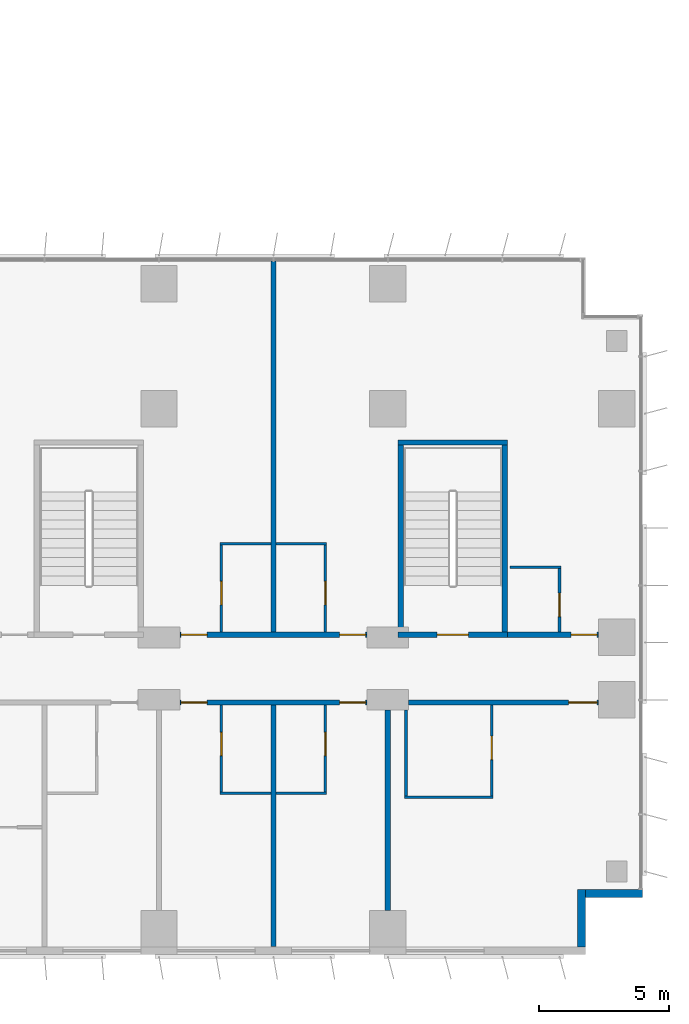
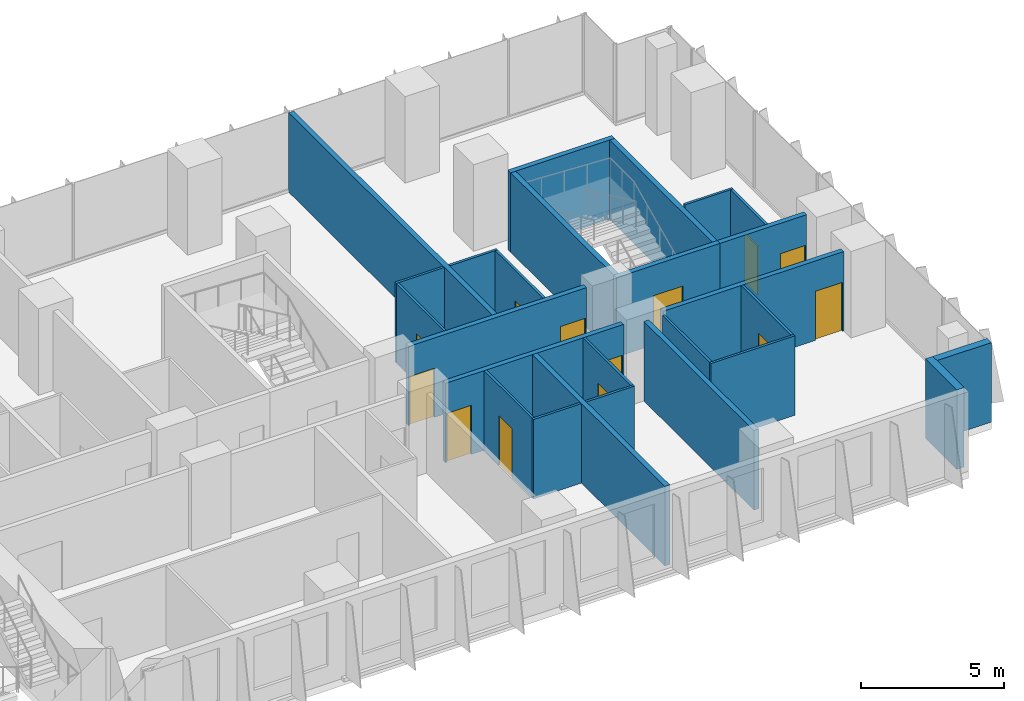
# One storey, part 18 of 24: 26 walls, 13 doors, 13 openings.
"""IFC4 building model written with IfcOpenShell, lengths in metres."""

from ifc_helpers import new_model, si_unit, direction, frame, frame_2d, origin, place, context, subcontext, project, spatial, rectangle, extrude, material, layer, layer_set, type_object, element, fill, save


model = new_model("IFC4")

# Units and contexts
model_context = context("Model", 3, precision=1e-05, world=origin(), true_north=direction((0.0, 1.0)))
body_context = subcontext(model_context, "Body", "Model", "MODEL_VIEW")
ifc_project = project(units=[si_unit("LENGTHUNIT", "METRE"), si_unit("AREAUNIT", "SQUARE_METRE"), si_unit("VOLUMEUNIT", "CUBIC_METRE"), si_unit("PLANEANGLEUNIT", "RADIAN"), si_unit("MASSUNIT", "GRAM", prefix="KILO")], contexts=[model_context])

# Site, building, storey
site_placement = place(None, origin())
site = spatial("IfcSite", under=ifc_project, at=site_placement, CompositionType="ELEMENT")
building_placement = place(site_placement, origin())
building = spatial("IfcBuilding", under=site, at=building_placement, Name="Kemantara Hotel Tower", CompositionType="ELEMENT")
storey_placement = place(building_placement, frame((0.0, 0.0, 52.5)))
storey = spatial("IfcBuildingStorey", under=building, at=storey_placement, Name="L11", CompositionType="ELEMENT", Elevation=52.5)

# Walls
ifc_material_1 = material(Name="Bronze anodised aluminium cladding on insulated steel stud wall", Category="steel")
ifc_layer_1 = layer(ifc_material_1, 0.300048828125)
ifc_layer_set_1 = layer_set([ifc_layer_1], Name="Bronze anodised aluminium cladding on insulated steel stud wall")
wall_type_1 = type_object("IfcWallType", Name="BRONZE METAL-CLAD EXTERNAL WALL 300", PredefinedType="STANDARD", material=ifc_layer_set_1)
for number, where, z_axis, x_axis, name in (
    (1, (78.85009765625, 0.300048828125, 0.0), (0.0, 0.0, 1.0), (0.0, 1.0, 0.0), "EXTERNAL WALL L11 T1-R02"),
    (2, (79.0, 2.35009765625, 0.0), (0.0, 0.0, 1.0), (1.0, 0.0, 0.0), "EXTERNAL WALL L11 T1-R03"),
):
    element("IfcWall", number, at=place(storey_placement, frame(where, z_axis=z_axis, x_axis=x_axis)), inside=storey, type_object=wall_type_1, Name=name, PredefinedType="STANDARD", context=body_context, shape_type="SweptSolid", body=[
        extrude(rectangle(XDim=2.199951171875, YDim=0.300048828125, at=frame_2d((1.10009765625, 0.0))), origin(), (0.0, 0.0, 1.0), 3.39990234375),
    ])

# Wall, openings, doors
ifc_material_2 = material(Name="Gypsum board partition, steel studs and mineral wool, 200 mm", Category="steel")
ifc_layer_2 = layer(ifc_material_2, 0.199951171875)
ifc_layer_set_2 = layer_set([ifc_layer_2], Name="Gypsum board partition, steel studs and mineral wool, 200 mm")
wall_type_2 = type_object("IfcWallType", Name="CORRIDOR WALL 200", PredefinedType="PARTITIONING", material=ifc_layer_set_2)
wall_1_placement = place(storey_placement, frame((70.599853515625, 9.699951171875, 0.0), z_axis=(0.0, 0.0, 1.0), x_axis=(-1.0, 0.0, 0.0)))
wall_1 = element("IfcWall", 3, at=wall_1_placement, inside=storey, type_object=wall_type_2, Name="CORRIDOR WALL 200 003", PredefinedType="PARTITIONING", context=body_context, shape_type="SweptSolid", body=[
    extrude(rectangle(XDim=7.19970703125, YDim=0.199951171875, at=frame_2d((3.599853515625, 0.0))), origin(), (0.0, 0.0, 1.0), 3.39990234375),
])
opening_1_placement = place(wall_1_placement, frame((6.14990234375, 0.0, 0.0)))
opening_1 = element("IfcOpeningElement", 4, at=opening_1_placement, cuts=wall_1, Name="Opening F03-006", PredefinedType="OPENING", context=body_context, shape_type="SweptSolid", body=[
    extrude(rectangle(XDim=1.0, YDim=2.10009765625, at=frame_2d((0.5, 1.050048828125))), frame((0.0, 0.10986328125, 0.0), z_axis=(0.0, -1.0, 0.0), x_axis=(1.0, 0.0, 0.0)), (0.0, 0.0, 1.0), 0.219970703125),
])
opening_2_placement = place(wall_1_placement, frame((0.0498046875, 0.0, 0.0)))
opening_2 = element("IfcOpeningElement", 5, at=opening_2_placement, cuts=wall_1, Name="Opening F03-008", PredefinedType="OPENING", context=body_context, shape_type="SweptSolid", body=[
    extrude(rectangle(XDim=1.0, YDim=2.10009765625, at=frame_2d((0.5, 1.050048828125))), frame((0.0, 0.10986328125, 0.0), z_axis=(0.0, -1.0, 0.0), x_axis=(1.0, 0.0, 0.0)), (0.0, 0.0, 1.0), 0.219970703125),
])
ifc_material_3 = material(Name="Hardwood veneer door leaf with steel frame", Category="steel")
door_type_1 = type_object("IfcDoorType", Name="GUEST ROOM DOOR 1000 X 2100 FD30S", OperationType="NOTDEFINED", PredefinedType="DOOR", material=ifc_material_3)
door_1_placement = place(opening_1_placement, origin())
door_1 = element("IfcDoor", 6, at=door_1_placement, inside=storey, type_object=door_type_1, Name="GUEST ROOM DOOR F03-006", OperationType="SINGLE_SWING_RIGHT", OverallHeight=2.10009765625, OverallWidth=1.0, PredefinedType="DOOR", context=body_context, shape_type="SweptSolid", body=[
    extrude(rectangle(XDim=1.0, YDim=2.10009765625, at=frame_2d((0.5, 1.050048828125))), frame((0.0, 0.02490234375, 0.0), z_axis=(0.0, -1.0, 0.0), x_axis=(1.0, 0.0, 0.0)), (0.0, 0.0, 1.0), 0.050048828125),
])
fill(opening_1, door_1)
door_2_placement = place(opening_2_placement, origin())
door_2 = element("IfcDoor", 7, at=door_2_placement, inside=storey, type_object=door_type_1, Name="GUEST ROOM DOOR F03-008", OperationType="SINGLE_SWING_LEFT", OverallHeight=2.10009765625, OverallWidth=1.0, PredefinedType="DOOR", context=body_context, shape_type="SweptSolid", body=[
    extrude(rectangle(XDim=1.0, YDim=2.10009765625, at=frame_2d((0.5, 1.050048828125))), frame((0.0, 0.02490234375, 0.0), z_axis=(0.0, -1.0, 0.0), x_axis=(1.0, 0.0, 0.0)), (0.0, 0.0, 1.0), 0.050048828125),
])
fill(opening_2, door_2)

# Wall, opening, door
wall_2_placement = place(storey_placement, frame((79.5, 9.699951171875, 0.0), z_axis=(0.0, 0.0, 1.0), x_axis=(-1.0, 0.0, 0.0)))
wall_2 = element("IfcWall", 8, at=wall_2_placement, inside=storey, type_object=wall_type_2, Name="CORRIDOR WALL 200 004", PredefinedType="PARTITIONING", context=body_context, shape_type="SweptSolid", body=[
    extrude(rectangle(XDim=7.2998046875, YDim=0.199951171875, at=frame_2d((3.64990234375, 0.0))), origin(), (0.0, 0.0, 1.0), 3.39990234375),
])
opening_3_placement = place(wall_2_placement, frame((0.0498046875, 0.0, 0.0)))
opening_3 = element("IfcOpeningElement", 9, at=opening_3_placement, cuts=wall_2, Name="Opening F03-010", PredefinedType="OPENING", context=body_context, shape_type="SweptSolid", body=[
    extrude(rectangle(XDim=1.10009765625, YDim=2.10009765625, at=frame_2d((0.550048828125, 1.050048828125))), frame((0.0, 0.10986328125, 0.0), z_axis=(0.0, -1.0, 0.0), x_axis=(1.0, 0.0, 0.0)), (0.0, 0.0, 1.0), 0.219970703125),
])
door_type_2 = type_object("IfcDoorType", Name="SUITE ENTRANCE DOOR 1100 X 2100 FD30S", OperationType="NOTDEFINED", PredefinedType="DOOR", material=ifc_material_3)
door_3_placement = place(opening_3_placement, origin())
door_3 = element("IfcDoor", 10, at=door_3_placement, inside=storey, type_object=door_type_2, Name="SUITE ENTRANCE DOOR F03-010", OperationType="SINGLE_SWING_LEFT", OverallHeight=2.10009765625, OverallWidth=1.10009765625, PredefinedType="DOOR", context=body_context, shape_type="SweptSolid", body=[
    extrude(rectangle(XDim=1.10009765625, YDim=2.10009765625, at=frame_2d((0.550048828125, 1.050048828125))), frame((0.0, 0.02490234375, 0.0), z_axis=(0.0, -1.0, 0.0), x_axis=(1.0, 0.0, 0.0)), (0.0, 0.0, 1.0), 0.050048828125),
])
fill(opening_3, door_3)

# Wall, openings, doors
wall_3_placement = place(storey_placement, frame((63.400146484375, 12.300048828125, 0.0), z_axis=(0.0, 0.0, 1.0), x_axis=(1.0, 0.0, 0.0)))
wall_3 = element("IfcWall", 11, at=wall_3_placement, inside=storey, type_object=wall_type_2, Name="CORRIDOR WALL 200 015", PredefinedType="PARTITIONING", context=body_context, shape_type="SweptSolid", body=[
    extrude(rectangle(XDim=7.19970703125, YDim=0.199951171875, at=frame_2d((3.599853515625, 0.0))), origin(), (0.0, 0.0, 1.0), 3.39990234375),
])
opening_4_placement = place(wall_3_placement, frame((0.0498046875, 0.0, 0.0)))
opening_4 = element("IfcOpeningElement", 12, at=opening_4_placement, cuts=wall_3, Name="Opening F03-024", PredefinedType="OPENING", context=body_context, shape_type="SweptSolid", body=[
    extrude(rectangle(XDim=1.0, YDim=2.10009765625, at=frame_2d((0.5, 1.050048828125))), frame((0.0, 0.10986328125, 0.0), z_axis=(0.0, -1.0, 0.0), x_axis=(1.0, 0.0, 0.0)), (0.0, 0.0, 1.0), 0.219970703125),
])
opening_5_placement = place(wall_3_placement, frame((6.14990234375, 0.0, 0.0)))
opening_5 = element("IfcOpeningElement", 13, at=opening_5_placement, cuts=wall_3, Name="Opening F03-026", PredefinedType="OPENING", context=body_context, shape_type="SweptSolid", body=[
    extrude(rectangle(XDim=1.0, YDim=2.10009765625, at=frame_2d((0.5, 1.050048828125))), frame((0.0, 0.10986328125, 0.0), z_axis=(0.0, -1.0, 0.0), x_axis=(1.0, 0.0, 0.0)), (0.0, 0.0, 1.0), 0.219970703125),
])
door_4_placement = place(opening_4_placement, origin())
door_4 = element("IfcDoor", 14, at=door_4_placement, inside=storey, type_object=door_type_1, Name="GUEST ROOM DOOR F03-024", OperationType="SINGLE_SWING_LEFT", OverallHeight=2.10009765625, OverallWidth=1.0, PredefinedType="DOOR", context=body_context, shape_type="SweptSolid", body=[
    extrude(rectangle(XDim=1.0, YDim=2.10009765625, at=frame_2d((0.5, 1.050048828125))), frame((0.0, 0.02490234375, 0.0), z_axis=(0.0, -1.0, 0.0), x_axis=(1.0, 0.0, 0.0)), (0.0, 0.0, 1.0), 0.050048828125),
])
fill(opening_4, door_4)
door_5_placement = place(opening_5_placement, origin())
door_5 = element("IfcDoor", 15, at=door_5_placement, inside=storey, type_object=door_type_1, Name="GUEST ROOM DOOR F03-026", OperationType="SINGLE_SWING_RIGHT", OverallHeight=2.10009765625, OverallWidth=1.0, PredefinedType="DOOR", context=body_context, shape_type="SweptSolid", body=[
    extrude(rectangle(XDim=1.0, YDim=2.10009765625, at=frame_2d((0.5, 1.050048828125))), frame((0.0, 0.02490234375, 0.0), z_axis=(0.0, -1.0, 0.0), x_axis=(1.0, 0.0, 0.0)), (0.0, 0.0, 1.0), 0.050048828125),
])
fill(opening_5, door_5)

# Wall, opening, door
wall_4_placement = place(storey_placement, frame((76.0, 12.300048828125, 0.0), z_axis=(0.0, 0.0, 1.0), x_axis=(1.0, 0.0, 0.0)))
wall_4 = element("IfcWall", 16, at=wall_4_placement, inside=storey, type_object=wall_type_2, Name="CORRIDOR WALL 200 016", PredefinedType="PARTITIONING", context=body_context, shape_type="SweptSolid", body=[
    extrude(rectangle(XDim=3.5, YDim=0.199951171875, at=frame_2d((1.75, 0.0))), origin(), (0.0, 0.0, 1.0), 3.39990234375),
])
opening_6_placement = place(wall_4_placement, frame((2.449951171875, 0.0, 0.0)))
opening_6 = element("IfcOpeningElement", 17, at=opening_6_placement, cuts=wall_4, Name="Opening F03-028", PredefinedType="OPENING", context=body_context, shape_type="SweptSolid", body=[
    extrude(rectangle(XDim=1.0, YDim=2.10009765625, at=frame_2d((0.5, 1.050048828125))), frame((0.0, 0.10986328125, 0.0), z_axis=(0.0, -1.0, 0.0), x_axis=(1.0, 0.0, 0.0)), (0.0, 0.0, 1.0), 0.219970703125),
])
door_6_placement = place(opening_6_placement, origin())
door_6 = element("IfcDoor", 18, at=door_6_placement, inside=storey, type_object=door_type_1, Name="GUEST ROOM DOOR F03-028", OperationType="SINGLE_SWING_RIGHT", OverallHeight=2.10009765625, OverallWidth=1.0, PredefinedType="DOOR", context=body_context, shape_type="SweptSolid", body=[
    extrude(rectangle(XDim=1.0, YDim=2.10009765625, at=frame_2d((0.5, 1.050048828125))), frame((0.0, 0.02490234375, 0.0), z_axis=(0.0, -1.0, 0.0), x_axis=(1.0, 0.0, 0.0)), (0.0, 0.0, 1.0), 0.050048828125),
])
fill(opening_6, door_6)

ifc_material_4 = material(Name="Concrete fc 40 MPa", Category="concrete")
ifc_layer_3 = layer(ifc_material_4, 0.199951171875)
ifc_layer_set_3 = layer_set([ifc_layer_3], Name="Concrete fc 40 MPa")
wall_type_3 = type_object("IfcWallType", Name="Concrete stair wall 200 mm", PredefinedType="SHEAR", material=ifc_layer_set_3)
wall_5_placement = place(storey_placement, frame((71.800048828125, 12.300048828125, 0.0), z_axis=(0.0, 0.0, 1.0), x_axis=(1.0, 0.0, 0.0)))
wall_5 = element("IfcWall", 19, at=wall_5_placement, inside=storey, type_object=wall_type_3, Name="Stair ST5 enclosure wall with door", PredefinedType="SHEAR", context=body_context, shape_type="SweptSolid", body=[
    extrude(rectangle(XDim=4.199951171875, YDim=0.199951171875, at=frame_2d((2.10009765625, 0.0))), origin(), (0.0, 0.0, 1.0), 3.39990234375),
])
opening_7_placement = place(wall_5_placement, frame((1.5, 0.0, 0.0)))
opening_7 = element("IfcOpeningElement", 20, at=opening_7_placement, cuts=wall_5, Name="Opening ST5-C", PredefinedType="OPENING", context=body_context, shape_type="SweptSolid", body=[
    extrude(rectangle(XDim=1.199951171875, YDim=2.10009765625, at=frame_2d((0.60009765625, 1.050048828125))), frame((0.0, 0.10986328125, 0.0), z_axis=(0.0, -1.0, 0.0), x_axis=(1.0, 0.0, 0.0)), (0.0, 0.0, 1.0), 0.219970703125),
])
ifc_material_5 = material(Name="Steel fire door", Category="steel")
door_type_3 = type_object("IfcDoorType", Name="Fire door FD90 1200 x 2100", OperationType="NOTDEFINED", PredefinedType="DOOR", material=ifc_material_5)
door_7_placement = place(opening_7_placement, origin())
door_7 = element("IfcDoor", 21, at=door_7_placement, inside=storey, type_object=door_type_3, Name="Stair ST5 door", OperationType="SINGLE_SWING_RIGHT", OverallHeight=2.10009765625, OverallWidth=1.199951171875, PredefinedType="DOOR", context=body_context, shape_type="SweptSolid", body=[
    extrude(rectangle(XDim=1.199951171875, YDim=2.10009765625, at=frame_2d((0.60009765625, 1.050048828125))), frame((0.0, 0.02490234375, 0.0), z_axis=(0.0, -1.0, 0.0), x_axis=(1.0, 0.0, 0.0)), (0.0, 0.0, 1.0), 0.050048828125),
])
fill(opening_7, door_7)

# Walls
wall_6_placement = place(storey_placement, frame((71.800048828125, 19.699951171875, 0.0), z_axis=(0.0, 0.0, 1.0), x_axis=(1.0, 0.0, 0.0)))
element("IfcWall", 22, at=wall_6_placement, inside=storey, type_object=wall_type_3, Name="Stair ST5 enclosure wall N", PredefinedType="SHEAR", context=body_context, shape_type="SweptSolid", body=[
    extrude(rectangle(XDim=4.199951171875, YDim=0.199951171875, at=frame_2d((2.10009765625, 0.0))), origin(), (0.0, 0.0, 1.0), 3.39990234375),
])
for number, where, z_axis, x_axis, name in (
    (23, (71.89990234375, 12.39990234375, 0.0), (0.0, 0.0, 1.0), (0.0, 1.0, 0.0), "Stair ST5 enclosure wall W"),
    (24, (75.89990234375, 12.39990234375, 0.0), (0.0, 0.0, 1.0), (0.0, 1.0, 0.0), "Stair ST5 enclosure wall E"),
):
    element("IfcWall", number, at=place(storey_placement, frame(where, z_axis=z_axis, x_axis=x_axis)), inside=storey, type_object=wall_type_3, Name=name, PredefinedType="SHEAR", context=body_context, shape_type="SweptSolid", body=[
        extrude(rectangle(XDim=7.2001953125, YDim=0.199951171875, at=frame_2d((3.60009765625, 0.0))), origin(), (0.0, 0.0, 1.0), 3.39990234375),
    ])
ifc_layer_4 = layer(ifc_material_2, 0.199951171875)
ifc_layer_set_4 = layer_set([ifc_layer_4], Name="Gypsum board partition, steel studs and mineral wool, 200 mm")
wall_type_4 = type_object("IfcWallType", Name="GUEST ROOM PARTY WALL 200", PredefinedType="PARTITIONING", material=ifc_layer_set_4)
wall_7_placement = place(storey_placement, frame((67.0, 0.31005859375, 0.0), z_axis=(0.0, 0.0, 1.0), x_axis=(0.0, 1.0, 0.0)))
element("IfcWall", 25, at=wall_7_placement, inside=storey, type_object=wall_type_4, Name="GUEST ROOM PARTY WALL 200 007", PredefinedType="PARTITIONING", context=body_context, shape_type="SweptSolid", body=[
    extrude(rectangle(XDim=9.2900390625, YDim=0.199951171875, at=frame_2d((4.64501953125, 0.0))), origin(), (0.0, 0.0, 1.0), 3.39990234375),
])
wall_8_placement = place(storey_placement, frame((67.0, 12.39990234375, 0.0), z_axis=(0.0, 0.0, 1.0), x_axis=(0.0, 1.0, 0.0)))
element("IfcWall", 26, at=wall_8_placement, inside=storey, type_object=wall_type_4, Name="GUEST ROOM PARTY WALL 200 008", PredefinedType="PARTITIONING", context=body_context, shape_type="SweptSolid", body=[
    extrude(rectangle(XDim=14.27001953125, YDim=0.199951171875, at=frame_2d((7.135009765625, 0.0))), origin(), (0.0, 0.0, 1.0), 3.39990234375),
])
wall_9_placement = place(storey_placement, frame((71.39990234375, 1.7001953125, 0.0), z_axis=(0.0, 0.0, 1.0), x_axis=(0.0, 1.0, 0.0)))
element("IfcWall", 27, at=wall_9_placement, inside=storey, type_object=wall_type_4, Name="GUEST ROOM PARTY WALL 200 009", PredefinedType="PARTITIONING", context=body_context, shape_type="SweptSolid", body=[
    extrude(rectangle(XDim=7.69970703125, YDim=0.199951171875, at=frame_2d((3.849853515625, 0.0))), origin(), (0.0, 0.0, 1.0), 3.39990234375),
])
ifc_material_6 = material(Name="Gypsum board partition on steel studs, 100 mm", Category="steel")
ifc_layer_5 = layer(ifc_material_6, 0.10009765625)
ifc_layer_set_5 = layer_set([ifc_layer_5], Name="Gypsum board partition on steel studs, 100 mm")
wall_type_5 = type_object("IfcWallType", Name="ROOM PARTITION 100", PredefinedType="PARTITIONING", material=ifc_layer_set_5)
for number, where, z_axis, x_axis, name in (
    (28, (64.949951171875, 6.199951171875, 0.0), (0.0, 0.0, 1.0), (1.0, 0.0, 0.0), "ROOM PARTITION 100 065"),
    (29, (67.10009765625, 6.199951171875, 0.0), (0.0, 0.0, 1.0), (1.0, 0.0, 0.0), "ROOM PARTITION 100 066"),
):
    element("IfcWall", number, at=place(storey_placement, frame(where, z_axis=z_axis, x_axis=x_axis)), inside=storey, type_object=wall_type_5, Name=name, PredefinedType="PARTITIONING", context=body_context, shape_type="SweptSolid", body=[
        extrude(rectangle(XDim=1.949951171875, YDim=0.10009765625, at=frame_2d((0.97509765625, 0.0))), origin(), (0.0, 0.0, 1.0), 3.39990234375),
    ])

# Wall, opening, door
wall_10_placement = place(storey_placement, frame((65.0, 9.60009765625, 0.0), z_axis=(0.0, 0.0, 1.0), x_axis=(0.0, -1.0, 0.0)))
wall_10 = element("IfcWall", 30, at=wall_10_placement, inside=storey, type_object=wall_type_5, Name="ROOM PARTITION 100 068", PredefinedType="PARTITIONING", context=body_context, shape_type="SweptSolid", body=[
    extrude(rectangle(XDim=3.35009765625, YDim=0.10009765625, at=frame_2d((1.675048828125, 0.0))), origin(), (0.0, 0.0, 1.0), 3.39990234375),
])
opening_8_placement = place(wall_10_placement, frame((1.050048828125, 0.0, 0.0)))
opening_8 = element("IfcOpeningElement", 31, at=opening_8_placement, cuts=wall_10, Name="Opening F03-007", PredefinedType="OPENING", context=body_context, shape_type="SweptSolid", body=[
    extrude(rectangle(XDim=0.89990234375, YDim=2.10009765625, at=frame_2d((0.449951171875, 1.050048828125))), frame((0.0, 0.06005859375, 0.0), z_axis=(0.0, -1.0, 0.0), x_axis=(1.0, 0.0, 0.0)), (0.0, 0.0, 1.0), 0.1201171875),
])
door_type_4 = type_object("IfcDoorType", Name="BATHROOM DOOR 900 X 2100", OperationType="NOTDEFINED", PredefinedType="DOOR", material=ifc_material_3)
door_8_placement = place(opening_8_placement, origin())
door_8 = element("IfcDoor", 32, at=door_8_placement, inside=storey, type_object=door_type_4, Name="BATHROOM DOOR F03-007", OperationType="SINGLE_SWING_LEFT", OverallHeight=2.10009765625, OverallWidth=0.89990234375, PredefinedType="DOOR", context=body_context, shape_type="SweptSolid", body=[
    extrude(rectangle(XDim=0.89990234375, YDim=2.10009765625, at=frame_2d((0.449951171875, 1.050048828125))), frame((0.0, 0.02490234375, 0.0), z_axis=(0.0, -1.0, 0.0), x_axis=(1.0, 0.0, 0.0)), (0.0, 0.0, 1.0), 0.050048828125),
])
fill(opening_8, door_8)

wall_11_placement = place(storey_placement, frame((65.0, 15.75, 0.0), z_axis=(0.0, 0.0, 1.0), x_axis=(0.0, -1.0, 0.0)))
wall_11 = element("IfcWall", 33, at=wall_11_placement, inside=storey, type_object=wall_type_5, Name="ROOM PARTITION 100 069", PredefinedType="PARTITIONING", context=body_context, shape_type="SweptSolid", body=[
    extrude(rectangle(XDim=3.35009765625, YDim=0.10009765625, at=frame_2d((1.675048828125, 0.0))), origin(), (0.0, 0.0, 1.0), 3.39990234375),
])
opening_9_placement = place(wall_11_placement, frame((1.39990234375, 0.0, 0.0)))
opening_9 = element("IfcOpeningElement", 34, at=opening_9_placement, cuts=wall_11, Name="Opening F03-025", PredefinedType="OPENING", context=body_context, shape_type="SweptSolid", body=[
    extrude(rectangle(XDim=0.89990234375, YDim=2.10009765625, at=frame_2d((0.449951171875, 1.050048828125))), frame((0.0, 0.06005859375, 0.0), z_axis=(0.0, -1.0, 0.0), x_axis=(1.0, 0.0, 0.0)), (0.0, 0.0, 1.0), 0.1201171875),
])
door_9_placement = place(opening_9_placement, origin())
door_9 = element("IfcDoor", 35, at=door_9_placement, inside=storey, type_object=door_type_4, Name="BATHROOM DOOR F03-025", OperationType="SINGLE_SWING_RIGHT", OverallHeight=2.10009765625, OverallWidth=0.89990234375, PredefinedType="DOOR", context=body_context, shape_type="SweptSolid", body=[
    extrude(rectangle(XDim=0.89990234375, YDim=2.10009765625, at=frame_2d((0.449951171875, 1.050048828125))), frame((0.0, 0.02490234375, 0.0), z_axis=(0.0, -1.0, 0.0), x_axis=(1.0, 0.0, 0.0)), (0.0, 0.0, 1.0), 0.050048828125),
])
fill(opening_9, door_9)

wall_12_placement = place(storey_placement, frame((69.0, 6.25, 0.0), z_axis=(0.0, 0.0, 1.0), x_axis=(0.0, 1.0, 0.0)))
wall_12 = element("IfcWall", 36, at=wall_12_placement, inside=storey, type_object=wall_type_5, Name="ROOM PARTITION 100 070", PredefinedType="PARTITIONING", context=body_context, shape_type="SweptSolid", body=[
    extrude(rectangle(XDim=3.35009765625, YDim=0.10009765625, at=frame_2d((1.675048828125, 0.0))), origin(), (0.0, 0.0, 1.0), 3.39990234375),
])
opening_10_placement = place(wall_12_placement, frame((1.39990234375, 0.0, 0.0)))
opening_10 = element("IfcOpeningElement", 37, at=opening_10_placement, cuts=wall_12, Name="Opening F03-009", PredefinedType="OPENING", context=body_context, shape_type="SweptSolid", body=[
    extrude(rectangle(XDim=0.89990234375, YDim=2.10009765625, at=frame_2d((0.449951171875, 1.050048828125))), frame((0.0, 0.06005859375, 0.0), z_axis=(0.0, -1.0, 0.0), x_axis=(1.0, 0.0, 0.0)), (0.0, 0.0, 1.0), 0.1201171875),
])
door_10_placement = place(opening_10_placement, origin())
door_10 = element("IfcDoor", 38, at=door_10_placement, inside=storey, type_object=door_type_4, Name="BATHROOM DOOR F03-009", OperationType="SINGLE_SWING_RIGHT", OverallHeight=2.10009765625, OverallWidth=0.89990234375, PredefinedType="DOOR", context=body_context, shape_type="SweptSolid", body=[
    extrude(rectangle(XDim=0.89990234375, YDim=2.10009765625, at=frame_2d((0.449951171875, 1.050048828125))), frame((0.0, 0.02490234375, 0.0), z_axis=(0.0, -1.0, 0.0), x_axis=(1.0, 0.0, 0.0)), (0.0, 0.0, 1.0), 0.050048828125),
])
fill(opening_10, door_10)

wall_13_placement = place(storey_placement, frame((69.0, 12.39990234375, 0.0), z_axis=(0.0, 0.0, 1.0), x_axis=(0.0, 1.0, 0.0)))
wall_13 = element("IfcWall", 39, at=wall_13_placement, inside=storey, type_object=wall_type_5, Name="ROOM PARTITION 100 071", PredefinedType="PARTITIONING", context=body_context, shape_type="SweptSolid", body=[
    extrude(rectangle(XDim=3.35009765625, YDim=0.10009765625, at=frame_2d((1.675048828125, 0.0))), origin(), (0.0, 0.0, 1.0), 3.39990234375),
])
opening_11_placement = place(wall_13_placement, frame((1.050048828125, 0.0, 0.0)))
opening_11 = element("IfcOpeningElement", 40, at=opening_11_placement, cuts=wall_13, Name="Opening F03-027", PredefinedType="OPENING", context=body_context, shape_type="SweptSolid", body=[
    extrude(rectangle(XDim=0.89990234375, YDim=2.10009765625, at=frame_2d((0.449951171875, 1.050048828125))), frame((0.0, 0.06005859375, 0.0), z_axis=(0.0, -1.0, 0.0), x_axis=(1.0, 0.0, 0.0)), (0.0, 0.0, 1.0), 0.1201171875),
])
door_11_placement = place(opening_11_placement, origin())
door_11 = element("IfcDoor", 41, at=door_11_placement, inside=storey, type_object=door_type_4, Name="BATHROOM DOOR F03-027", OperationType="SINGLE_SWING_LEFT", OverallHeight=2.10009765625, OverallWidth=0.89990234375, PredefinedType="DOOR", context=body_context, shape_type="SweptSolid", body=[
    extrude(rectangle(XDim=0.89990234375, YDim=2.10009765625, at=frame_2d((0.449951171875, 1.050048828125))), frame((0.0, 0.02490234375, 0.0), z_axis=(0.0, -1.0, 0.0), x_axis=(1.0, 0.0, 0.0)), (0.0, 0.0, 1.0), 0.050048828125),
])
fill(opening_11, door_11)

# Walls
wall_14_placement = place(storey_placement, frame((72.050048828125, 6.050048828125, 0.0), z_axis=(0.0, 0.0, 1.0), x_axis=(1.0, 0.0, 0.0)))
element("IfcWall", 42, at=wall_14_placement, inside=storey, type_object=wall_type_5, Name="ROOM PARTITION 100 072", PredefinedType="PARTITIONING", context=body_context, shape_type="SweptSolid", body=[
    extrude(rectangle(XDim=3.39990234375, YDim=0.10009765625, at=frame_2d((1.699951171875, 0.0))), origin(), (0.0, 0.0, 1.0), 3.39990234375),
])
wall_15_placement = place(storey_placement, frame((72.10009765625, 6.10009765625, 0.0), z_axis=(0.0, 0.0, 1.0), x_axis=(0.0, 1.0, 0.0)))
element("IfcWall", 43, at=wall_15_placement, inside=storey, type_object=wall_type_5, Name="ROOM PARTITION 100 073", PredefinedType="PARTITIONING", context=body_context, shape_type="SweptSolid", body=[
    extrude(rectangle(XDim=3.2998046875, YDim=0.10009765625, at=frame_2d((1.64990234375, 0.0))), origin(), (0.0, 0.0, 1.0), 3.39990234375),
])

# Wall, opening, door
wall_16_placement = place(storey_placement, frame((75.39990234375, 6.10009765625, 0.0), z_axis=(0.0, 0.0, 1.0), x_axis=(0.0, 1.0, 0.0)))
wall_16 = element("IfcWall", 44, at=wall_16_placement, inside=storey, type_object=wall_type_5, Name="ROOM PARTITION 100 074", PredefinedType="PARTITIONING", context=body_context, shape_type="SweptSolid", body=[
    extrude(rectangle(XDim=3.5, YDim=0.10009765625, at=frame_2d((1.75, 0.0))), origin(), (0.0, 0.0, 1.0), 3.39990234375),
])
opening_12_placement = place(wall_16_placement, frame((1.39990234375, 0.0, 0.0)))
opening_12 = element("IfcOpeningElement", 45, at=opening_12_placement, cuts=wall_16, Name="Opening F03-011", PredefinedType="OPENING", context=body_context, shape_type="SweptSolid", body=[
    extrude(rectangle(XDim=0.89990234375, YDim=2.10009765625, at=frame_2d((0.449951171875, 1.050048828125))), frame((0.0, 0.06005859375, 0.0), z_axis=(0.0, -1.0, 0.0), x_axis=(1.0, 0.0, 0.0)), (0.0, 0.0, 1.0), 0.1201171875),
])
door_12_placement = place(opening_12_placement, origin())
door_12 = element("IfcDoor", 46, at=door_12_placement, inside=storey, type_object=door_type_4, Name="BATHROOM DOOR F03-011", OperationType="SINGLE_SWING_RIGHT", OverallHeight=2.10009765625, OverallWidth=0.89990234375, PredefinedType="DOOR", context=body_context, shape_type="SweptSolid", body=[
    extrude(rectangle(XDim=0.89990234375, YDim=2.10009765625, at=frame_2d((0.449951171875, 1.050048828125))), frame((0.0, 0.02490234375, 0.0), z_axis=(0.0, -1.0, 0.0), x_axis=(1.0, 0.0, 0.0)), (0.0, 0.0, 1.0), 0.050048828125),
])
fill(opening_12, door_12)

# Walls
for number, where, z_axis, x_axis, name in (
    (47, (64.949951171875, 15.800048828125, 0.0), (0.0, 0.0, 1.0), (1.0, 0.0, 0.0), "ROOM PARTITION 100 083"),
    (48, (67.10009765625, 15.800048828125, 0.0), (0.0, 0.0, 1.0), (1.0, 0.0, 0.0), "ROOM PARTITION 100 084"),
    (49, (76.10009765625, 14.89990234375, 0.0), (0.0, 0.0, 1.0), (1.0, 0.0, 0.0), "ROOM PARTITION 100 089"),
):
    element("IfcWall", number, at=place(storey_placement, frame(where, z_axis=z_axis, x_axis=x_axis)), inside=storey, type_object=wall_type_5, Name=name, PredefinedType="PARTITIONING", context=body_context, shape_type="SweptSolid", body=[
        extrude(rectangle(XDim=1.949951171875, YDim=0.10009765625, at=frame_2d((0.97509765625, 0.0))), origin(), (0.0, 0.0, 1.0), 3.39990234375),
    ])

# Wall, opening, door
wall_17_placement = place(storey_placement, frame((78.0, 12.39990234375, 0.0), z_axis=(0.0, 0.0, 1.0), x_axis=(0.0, 1.0, 0.0)))
wall_17 = element("IfcWall", 50, at=wall_17_placement, inside=storey, type_object=wall_type_5, Name="ROOM PARTITION 100 090", PredefinedType="PARTITIONING", context=body_context, shape_type="SweptSolid", body=[
    extrude(rectangle(XDim=2.4501953125, YDim=0.10009765625, at=frame_2d((1.22509765625, 0.0))), origin(), (0.0, 0.0, 1.0), 3.39990234375),
])
opening_13_placement = place(wall_17_placement, frame((0.60009765625, 0.0, 0.0)))
opening_13 = element("IfcOpeningElement", 51, at=opening_13_placement, cuts=wall_17, Name="Opening F03-029", PredefinedType="OPENING", context=body_context, shape_type="SweptSolid", body=[
    extrude(rectangle(XDim=0.89990234375, YDim=2.10009765625, at=frame_2d((0.449951171875, 1.050048828125))), frame((0.0, 0.06005859375, 0.0), z_axis=(0.0, -1.0, 0.0), x_axis=(1.0, 0.0, 0.0)), (0.0, 0.0, 1.0), 0.1201171875),
])
door_13_placement = place(opening_13_placement, origin())
door_13 = element("IfcDoor", 52, at=door_13_placement, inside=storey, type_object=door_type_4, Name="BATHROOM DOOR F03-029", OperationType="SINGLE_SWING_LEFT", OverallHeight=2.10009765625, OverallWidth=0.89990234375, PredefinedType="DOOR", context=body_context, shape_type="SweptSolid", body=[
    extrude(rectangle(XDim=0.89990234375, YDim=2.10009765625, at=frame_2d((0.449951171875, 1.050048828125))), frame((0.0, 0.02490234375, 0.0), z_axis=(0.0, -1.0, 0.0), x_axis=(1.0, 0.0, 0.0)), (0.0, 0.0, 1.0), 0.050048828125),
])
fill(opening_13, door_13)

save(model, "model.ifc")
